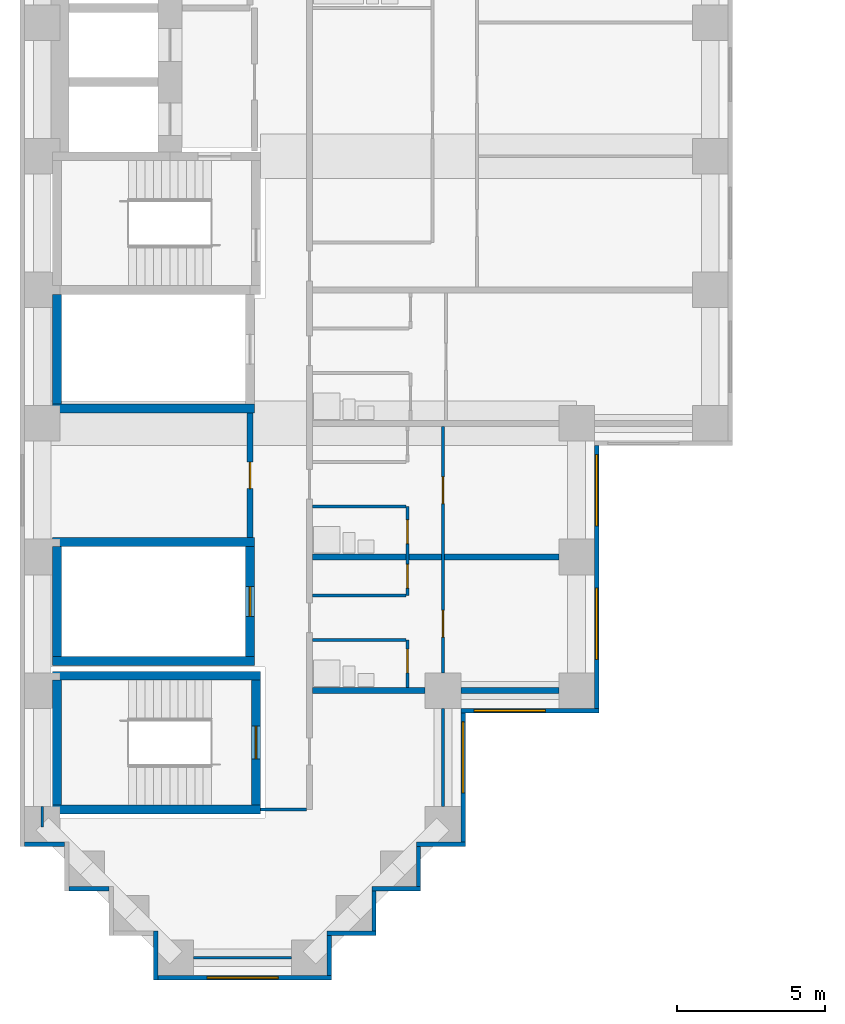
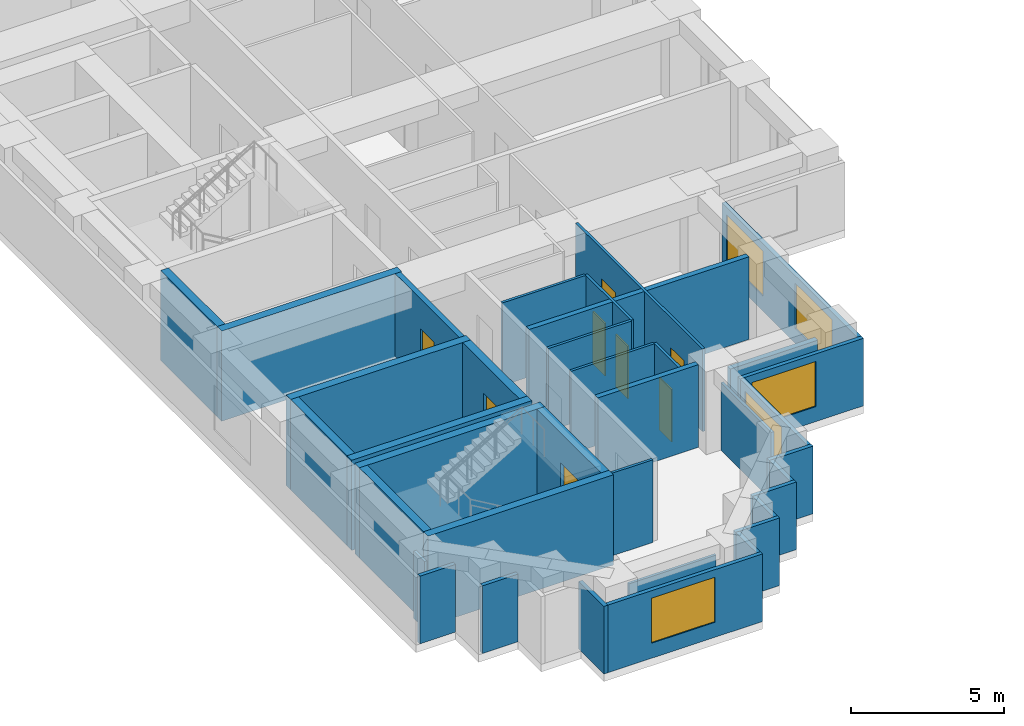
# One storey, part 2 of 11: 37 walls, 8 doors, 5 windows, 13 openings.
"""IFC4 building model written with IfcOpenShell, lengths in metres."""

import ifcopenshell
import ifcopenshell.guid

model = None  # the IFC model being written
_history = None  # IfcOwnerHistory: only IFC2X3 demands one
_inside = {}  # id of a spatial element -> (the spatial element, [elements in it])
_under = {}  # id of a project, library or spatial element -> (it, [spatial elements below it])
_declared = {}  # id of a project -> (the project, [libraries it declares])
_typed = {}  # id of a type object -> (the type object, [elements of that type])
_made_of = {}  # id of a material, layer set ... -> (it, [elements and type objects made of it])


def new_model(schema):
    """Start an empty IFC model of exactly this schema.

    Asked for "IFC4X3", IfcOpenShell would pick the latest addendum, in which some entities
    have other attributes; the version numbers below select the first issue.
    IFC2X3 requires an IfcOwnerHistory on every rooted entity: one is made here for all.
    """
    global model, _history
    if schema == "IFC4X3":
        model = ifcopenshell.file(schema_version=(4, 3, 0, 0))
    else:
        model = ifcopenshell.file(schema=schema)
    _inside.clear()
    _under.clear()
    _declared.clear()
    _typed.clear()
    _made_of.clear()
    _history = None
    if model.schema == "IFC2X3":
        org = make("IfcOrganization", Name="unknown")
        user = make(
            "IfcPersonAndOrganization",
            ThePerson=make("IfcPerson", FamilyName="unknown"),
            TheOrganization=org,
        )
        app = make(
            "IfcApplication",
            ApplicationDeveloper=org,
            Version="unknown",
            ApplicationFullName="unknown",
            ApplicationIdentifier="unknown",
        )
        _history = make(
            "IfcOwnerHistory",
            OwningUser=user,
            OwningApplication=app,
            ChangeAction="ADDED",
            CreationDate=0,
        )
    return model


def make(cls, **values):
    """One entity of the class cls with the attributes given. An attribute that is None is left unset."""
    return model.create_entity(
        cls, **{name: value for name, value in values.items() if value is not None}
    )


def rooted(cls, **values):
    """An entity with a GlobalId (a new one), such as an element, a storey or a relation."""
    return make(cls, GlobalId=ifcopenshell.guid.new(), OwnerHistory=_history, **values)


def si_unit(unit_type, name, prefix=None):
    """IfcSIUnit, for example si_unit("LENGTHUNIT", "METRE", prefix="MILLI")."""
    return make("IfcSIUnit", UnitType=unit_type, Prefix=prefix, Name=name)


def assignment(units):
    """IfcUnitAssignment: the units of a project."""
    return None if units is None else make("IfcUnitAssignment", Units=units)


def point(xyz):
    """IfcCartesianPoint."""
    return None if xyz is None else make("IfcCartesianPoint", Coordinates=xyz)


def direction(xyz):
    """IfcDirection."""
    return None if xyz is None else make("IfcDirection", DirectionRatios=xyz)


def frame(location, z_axis=None, x_axis=None):
    """IfcAxis2Placement3D, a coordinate frame: its origin and axes. An axis left out is left unset."""
    return make(
        "IfcAxis2Placement3D",
        Location=point(location),
        Axis=direction(z_axis),
        RefDirection=direction(x_axis),
    )


def frame_2d(location, x_axis=None):
    """IfcAxis2Placement2D, a coordinate frame in the plane: its origin and x axis."""
    return make(
        "IfcAxis2Placement2D", Location=point(location), RefDirection=direction(x_axis)
    )


def origin():
    """The frame at (0, 0, 0) with its axes left unset."""
    return frame((0.0, 0.0, 0.0))


def place(relative_to, where):
    """IfcLocalPlacement: puts the frame where relative to a parent placement (None: the world)."""
    return make(
        "IfcLocalPlacement", PlacementRelTo=relative_to, RelativePlacement=where
    )


def context(
    kind, dimensions, precision=None, world=None, true_north=None, identifier=None
):
    """IfcGeometricRepresentationContext, for example the 3D "Model" context."""
    return make(
        "IfcGeometricRepresentationContext",
        ContextIdentifier=identifier,
        ContextType=kind,
        CoordinateSpaceDimension=dimensions,
        Precision=precision,
        WorldCoordinateSystem=world,
        TrueNorth=true_north,
    )


def subcontext(parent, identifier, kind, view, scale=None):
    """IfcGeometricRepresentationSubContext, for example "Body" below "Model"."""
    return make(
        "IfcGeometricRepresentationSubContext",
        ContextIdentifier=identifier,
        ContextType=kind,
        ParentContext=parent,
        TargetScale=scale,
        TargetView=view,
    )


def project(units=None, contexts=None):
    """IfcProject with its units and contexts."""
    return rooted(
        "IfcProject",
        Name="project",
        RepresentationContexts=contexts,
        UnitsInContext=assignment(units),
    )


def spatial(cls, under=None, at=None, **own):
    """A site, building, storey or space (cls), placed at a placement, below another one or the project."""
    s = rooted(cls, ObjectPlacement=at, **own)
    if under is not None:
        _under.setdefault(under.id(), (under, []))[1].append(s)
    return s


def profile(cls, at=None, kind="AREA", **sizes):
    """A parametric profile (cls). Its sizes go by their IFC names, for example OverallWidth=200.0."""
    return make(cls, ProfileType=kind, Position=at, **sizes)


def rectangle(**sizes):
    """IfcRectangleProfileDef."""
    return profile("IfcRectangleProfileDef", **sizes)


def extrude(swept, where, along, depth):
    """IfcExtrudedAreaSolid: the profile swept, set in the frame where, extruded along a direction by depth."""
    return make(
        "IfcExtrudedAreaSolid",
        SweptArea=swept,
        Position=where,
        ExtrudedDirection=direction(along),
        Depth=depth,
    )


def shape(context_of_items, identifier, shape_type, items):
    """IfcShapeRepresentation: the items that make up one representation, for example the "Body"."""
    return make(
        "IfcShapeRepresentation",
        ContextOfItems=context_of_items,
        RepresentationIdentifier=identifier,
        RepresentationType=shape_type,
        Items=items,
    )


def material(Name=None, Category=None):
    """IfcMaterial."""
    return make("IfcMaterial", Name=Name, Category=Category)


def layer(
    of_material, thickness, ventilated=None, Name=None, Category=None, Priority=None
):
    """IfcMaterialLayer: one layer of a wall or slab, of a material (None: an air gap)."""
    return make(
        "IfcMaterialLayer",
        Material=of_material,
        LayerThickness=thickness,
        IsVentilated=ventilated,
        Name=Name,
        Category=Category,
        Priority=Priority,
    )


def layer_set(layers, Name=None):
    """IfcMaterialLayerSet."""
    return make("IfcMaterialLayerSet", MaterialLayers=layers, LayerSetName=Name)


def made_of(thing, what):
    """Note that an element or type object is made of a material, layer set ...; save() writes the relation."""
    if what is not None:
        _made_of.setdefault(what.id(), (what, []))[1].append(thing)
    return thing


def type_object(cls, material=None, **own):
    """A type object (cls), such as IfcWallType, which elements share."""
    return made_of(rooted(cls, **own), material)


def element(
    cls,
    number,
    at=None,
    inside=None,
    cuts=None,
    type_object=None,
    material=None,
    context=None,
    identifier="Body",
    shape_type=None,
    held_by="IfcProductDefinitionShape",
    body=None,
    shapes=None,
    **own,
):
    """One element of the class cls, such as IfcWall. Its Tag is "e" and its number.

    at: its placement. inside: the storey or other place that contains it. cuts: it is an
    opening in that element (IfcRelVoidsElement). A single representation is given by context,
    identifier, shape_type and body (its items); several are given by shapes. held_by: the class
    of the entity that holds the representations. save() writes the other relations.
    """
    e = rooted(cls, Tag="e%d" % number, ObjectPlacement=at, **own)
    if body is not None:
        shapes = [shape(context, identifier, shape_type, body)]
    if shapes is not None:
        e.Representation = make(held_by, Representations=shapes)
    if inside is not None:
        _inside.setdefault(inside.id(), (inside, []))[1].append(e)
    if cuts is not None:
        rooted(
            "IfcRelVoidsElement", RelatingBuildingElement=cuts, RelatedOpeningElement=e
        )
    if type_object is not None:
        _typed.setdefault(type_object.id(), (type_object, []))[1].append(e)
    return made_of(e, material)


def fill(opening, filler):
    """IfcRelFillsElement: the door or window that sits in an opening."""
    return rooted(
        "IfcRelFillsElement",
        RelatingOpeningElement=opening,
        RelatedBuildingElement=filler,
    )


def aggregate(whole, parts):
    """IfcRelAggregates: a whole, such as a stair, and the parts it consists of."""
    return rooted("IfcRelAggregates", RelatingObject=whole, RelatedObjects=parts)


def save(model, path):
    """Write the relations noted so far, then the file.

    IfcRelAggregates (storeys below a building ...), IfcRelContainedInSpatialStructure (elements
    in a storey), IfcRelDefinesByType, IfcRelAssociatesMaterial and IfcRelDeclares: one each for
    every whole, place, type object, material and project.
    """
    for whole, parts in _under.values():
        aggregate(whole, parts)
    for where, things in _inside.values():
        rooted(
            "IfcRelContainedInSpatialStructure",
            RelatedElements=things,
            RelatingStructure=where,
        )
    for kind, things in _typed.values():
        rooted("IfcRelDefinesByType", RelatedObjects=things, RelatingType=kind)
    for what, things in _made_of.values():
        rooted("IfcRelAssociatesMaterial", RelatedObjects=things, RelatingMaterial=what)
    for by, libraries in _declared.values():
        rooted("IfcRelDeclares", RelatingContext=by, RelatedDefinitions=libraries)
    model.write(path)


model = new_model("IFC4")

# Units and contexts
model_context = context("Model", 3, precision=1e-05, world=origin(), true_north=direction((0.0, 1.0)))
body_context = subcontext(model_context, "Body", "Model", "MODEL_VIEW")
ifc_project = project(units=[si_unit("LENGTHUNIT", "METRE"), si_unit("AREAUNIT", "SQUARE_METRE"), si_unit("VOLUMEUNIT", "CUBIC_METRE"), si_unit("PLANEANGLEUNIT", "RADIAN"), si_unit("MASSUNIT", "GRAM", prefix="KILO")], contexts=[model_context])

# Site, building, storey
site_placement = place(None, origin())
site = spatial("IfcSite", under=ifc_project, at=site_placement, CompositionType="ELEMENT")
building_placement = place(site_placement, origin())
building = spatial("IfcBuilding", under=site, at=building_placement, Name="Firuza Court", CompositionType="ELEMENT")
storey_placement = place(building_placement, frame((0.0, 0.0, 79.39990234375)))
storey = spatial("IfcBuildingStorey", under=building, at=storey_placement, Name="L19", CompositionType="ELEMENT", Elevation=79.39990234375)

# Walls
ifc_material_1 = material(Name="Moisture-resistant gypsum board partition")
ifc_layer_1 = layer(ifc_material_1, 0.10009765625)
ifc_layer_set_1 = layer_set([ifc_layer_1], Name="Moisture-resistant gypsum board partition")
wall_type_1 = type_object("IfcWallType", Name="Bathroom partition 100", PredefinedType="PLUMBINGWALL", material=ifc_layer_set_1)
for number, where, z_axis, x_axis, name in (
    (1, (9.10009765625, 10.699951171875, 0.0), (0.0, 0.0, 1.0), (1.0, 0.0, 0.0), "Bathroom partition 100 L19"),
    (2, (9.10009765625, 15.199951171875, 0.0), (0.0, 0.0, 1.0), (1.0, 0.0, 0.0), "Bathroom partition 100 L19"),
):
    element("IfcWall", number, at=place(storey_placement, frame(where, z_axis=z_axis, x_axis=x_axis)), inside=storey, type_object=wall_type_1, Name=name, PredefinedType="PLUMBINGWALL", context=body_context, shape_type="SweptSolid", body=[
        extrude(rectangle(XDim=3.14990234375, YDim=0.10009765625, at=frame_2d((1.574951171875, 0.0))), origin(), (0.0, 0.0, 1.0), 3.300048828125),
    ])
ifc_material_2 = material(Name="Concrete C60/75", Category="concrete")
ifc_layer_2 = layer(ifc_material_2, 0.300048828125)
ifc_layer_set_2 = layer_set([ifc_layer_2], Name="Concrete C60/75")
wall_type_2 = type_object("IfcWallType", Name="Core wall 300 C60/75", PredefinedType="SHEAR", material=ifc_layer_set_2)
for number, where, z_axis, x_axis, name in (
    (3, (0.35009765625, 5.0, -0.2998046875), (0.0, 0.0, 1.0), (1.0, 0.0, 0.0), "Core wall stair L19"),
    (4, (0.35009765625, 9.5, -0.2998046875), (0.0, 0.0, 1.0), (1.0, 0.0, 0.0), "Core wall stair L19"),
):
    element("IfcWall", number, at=place(storey_placement, frame(where, z_axis=z_axis, x_axis=x_axis)), inside=storey, type_object=wall_type_2, Name=name, PredefinedType="SHEAR", context=body_context, shape_type="SweptSolid", body=[
        extrude(rectangle(XDim=7.0, YDim=0.300048828125, at=frame_2d((3.5, 0.0))), origin(), (0.0, 0.0, 1.0), 3.599853515625),
    ])
for number, where, z_axis, x_axis, name in (
    (5, (0.35009765625, 10.0, -0.2998046875), (0.0, 0.0, 1.0), (1.0, 0.0, 0.0), "Core wall riser L19"),
    (6, (0.35009765625, 14.0, -0.2998046875), (0.0, 0.0, 1.0), (1.0, 0.0, 0.0), "Core wall riser L19"),
    (7, (0.35009765625, 18.5, -0.2998046875), (0.0, 0.0, 1.0), (1.0, 0.0, 0.0), "Core wall riser L19"),
):
    element("IfcWall", number, at=place(storey_placement, frame(where, z_axis=z_axis, x_axis=x_axis)), inside=storey, type_object=wall_type_2, Name=name, PredefinedType="SHEAR", context=body_context, shape_type="SweptSolid", body=[
        extrude(rectangle(XDim=6.7998046875, YDim=0.300048828125, at=frame_2d((3.39990234375, 0.0))), origin(), (0.0, 0.0, 1.0), 3.599853515625),
    ])
wall_1_placement = place(storey_placement, frame((0.5, 5.14990234375, -0.2998046875), z_axis=(0.0, 0.0, 1.0), x_axis=(0.0, 1.0, 0.0)))
element("IfcWall", 8, at=wall_1_placement, inside=storey, type_object=wall_type_2, Name="Core wall stair L19", PredefinedType="SHEAR", context=body_context, shape_type="SweptSolid", body=[
    extrude(rectangle(XDim=4.2001953125, YDim=0.300048828125, at=frame_2d((2.10009765625, 0.0))), origin(), (0.0, 0.0, 1.0), 3.599853515625),
])
for number, where, z_axis, x_axis, name in (
    (9, (0.5, 10.14990234375, -0.2998046875), (0.0, 0.0, 1.0), (0.0, 1.0, 0.0), "Core wall riser L19"),
    (10, (0.5, 18.64990234375, -0.2998046875), (0.0, 0.0, 1.0), (0.0, 1.0, 0.0), "Core wall riser L19"),
):
    element("IfcWall", number, at=place(storey_placement, frame(where, z_axis=z_axis, x_axis=x_axis)), inside=storey, type_object=wall_type_2, Name=name, PredefinedType="SHEAR", context=body_context, shape_type="SweptSolid", body=[
        extrude(rectangle(XDim=3.7001953125, YDim=0.300048828125, at=frame_2d((1.85009765625, 0.0))), origin(), (0.0, 0.0, 1.0), 3.599853515625),
    ])

# Wall, opening, door
wall_2_placement = place(storey_placement, frame((7.0, 10.14990234375, -0.2998046875), z_axis=(0.0, 0.0, 1.0), x_axis=(0.0, 1.0, 0.0)))
wall_2 = element("IfcWall", 11, at=wall_2_placement, inside=storey, type_object=wall_type_2, Name="Core wall riser L19", PredefinedType="SHEAR", context=body_context, shape_type="SweptSolid", body=[
    extrude(rectangle(XDim=3.7001953125, YDim=0.300048828125, at=frame_2d((1.85009765625, 0.0))), origin(), (0.0, 0.0, 1.0), 3.599853515625),
])
opening_1_placement = place(wall_2_placement, frame((1.35009765625, 0.0, 0.300048828125)))
opening_1 = element("IfcOpeningElement", 12, at=opening_1_placement, cuts=wall_2, Name="Opening D19012", PredefinedType="OPENING", context=body_context, shape_type="SweptSolid", body=[
    extrude(rectangle(XDim=1.0, YDim=2.10009765625, at=frame_2d((0.5, 1.050048828125))), frame((0.0, 0.162109375, 0.0), z_axis=(0.0, -1.0, 0.0), x_axis=(1.0, 0.0, 0.0)), (0.0, 0.0, 1.0), 0.323974609375),
])
ifc_material_3 = material(Name="Timber door leaf in hardwood frame", Category="wood")
door_type_1 = type_object("IfcDoorType", Name="Riser door 1000", OperationType="SINGLE_SWING_LEFT", PredefinedType="DOOR", material=ifc_material_3)
door_1_placement = place(opening_1_placement, origin())
door_1 = element("IfcDoor", 13, at=door_1_placement, inside=storey, type_object=door_type_1, Name="Riser door R4", OperationType="SINGLE_SWING_LEFT", OverallHeight=2.10009765625, OverallWidth=1.0, PredefinedType="DOOR", context=body_context, shape_type="SweptSolid", body=[
    extrude(rectangle(XDim=1.0, YDim=2.10009765625, at=frame_2d((0.5, 1.050048828125))), frame((0.0, 0.02490234375, 0.0), z_axis=(0.0, -1.0, 0.0), x_axis=(1.0, 0.0, 0.0)), (0.0, 0.0, 1.0), 0.050048828125),
])
fill(opening_1, door_1)

wall_3_placement = place(storey_placement, frame((7.199951171875, 5.14990234375, -0.2998046875), z_axis=(0.0, 0.0, 1.0), x_axis=(0.0, 1.0, 0.0)))
wall_3 = element("IfcWall", 14, at=wall_3_placement, inside=storey, type_object=wall_type_2, Name="Core wall stair L19", PredefinedType="SHEAR", context=body_context, shape_type="SweptSolid", body=[
    extrude(rectangle(XDim=4.2001953125, YDim=0.300048828125, at=frame_2d((2.10009765625, 0.0))), origin(), (0.0, 0.0, 1.0), 3.599853515625),
])
opening_2_placement = place(wall_3_placement, frame((1.550048828125, 0.0, 0.300048828125)))
opening_2 = element("IfcOpeningElement", 15, at=opening_2_placement, cuts=wall_3, Name="Opening D19018", PredefinedType="OPENING", context=body_context, shape_type="SweptSolid", body=[
    extrude(rectangle(XDim=1.10009765625, YDim=2.10009765625, at=frame_2d((0.550048828125, 1.050048828125))), frame((0.0, 0.162109375, 0.0), z_axis=(0.0, -1.0, 0.0), x_axis=(1.0, 0.0, 0.0)), (0.0, 0.0, 1.0), 0.323974609375),
])
ifc_material_4 = material(Name="Timber door leaf in hardwood frame", Category="wood")
door_type_2 = type_object("IfcDoorType", Name="Stair door 1100", OperationType="SINGLE_SWING_LEFT", PredefinedType="DOOR", material=ifc_material_4)
door_2_placement = place(opening_2_placement, origin())
door_2 = element("IfcDoor", 16, at=door_2_placement, inside=storey, type_object=door_type_2, Name="Stair door S5", OperationType="SINGLE_SWING_LEFT", OverallHeight=2.10009765625, OverallWidth=1.10009765625, PredefinedType="DOOR", context=body_context, shape_type="SweptSolid", body=[
    extrude(rectangle(XDim=1.10009765625, YDim=2.10009765625, at=frame_2d((0.550048828125, 1.050048828125))), frame((0.0, 0.02490234375, 0.0), z_axis=(0.0, -1.0, 0.0), x_axis=(1.0, 0.0, 0.0)), (0.0, 0.0, 1.0), 0.050048828125),
])
fill(opening_2, door_2)

ifc_material_5 = material(Name="Blockwork, plastered both sides", Category="masonry")
ifc_layer_3 = layer(ifc_material_5, 0.199951171875)
ifc_layer_set_3 = layer_set([ifc_layer_3], Name="Blockwork, plastered both sides")
wall_type_3 = type_object("IfcWallType", Name="Corridor wall 200", PredefinedType="PARTITIONING", material=ifc_layer_set_3)
wall_4_placement = place(storey_placement, frame((7.0, 14.14990234375, 0.0), z_axis=(0.0, 0.0, 1.0), x_axis=(0.0, 1.0, 0.0)))
wall_4 = element("IfcWall", 17, at=wall_4_placement, inside=storey, type_object=wall_type_3, Name="Corridor wall 200 L19", PredefinedType="PARTITIONING", context=body_context, shape_type="SweptSolid", body=[
    extrude(rectangle(XDim=4.2001953125, YDim=0.199951171875, at=frame_2d((2.10009765625, 0.0))), origin(), (0.0, 0.0, 1.0), 3.300048828125),
])
opening_3_placement = place(wall_4_placement, frame((1.64990234375, 0.0, 0.0)))
opening_3 = element("IfcOpeningElement", 18, at=opening_3_placement, cuts=wall_4, Name="Opening D19030", PredefinedType="OPENING", context=body_context, shape_type="SweptSolid", body=[
    extrude(rectangle(XDim=0.89990234375, YDim=2.10009765625, at=frame_2d((0.449951171875, 1.050048828125))), frame((0.0, 0.11181640625, 0.0), z_axis=(0.0, -1.0, 0.0), x_axis=(1.0, 0.0, 0.0)), (0.0, 0.0, 1.0), 0.223876953125),
])
ifc_material_6 = material(Name="Timber door leaf in hardwood frame", Category="wood")
door_type_3 = type_object("IfcDoorType", Name="Room door 900 EI 30", OperationType="SINGLE_SWING_LEFT", PredefinedType="DOOR", material=ifc_material_6)
door_3_placement = place(opening_3_placement, origin())
door_3 = element("IfcDoor", 19, at=door_3_placement, inside=storey, type_object=door_type_3, Name="Meeting room door", OperationType="SINGLE_SWING_LEFT", OverallHeight=2.10009765625, OverallWidth=0.89990234375, PredefinedType="DOOR", context=body_context, shape_type="SweptSolid", body=[
    extrude(rectangle(XDim=0.89990234375, YDim=2.10009765625, at=frame_2d((0.449951171875, 1.050048828125))), frame((0.0, 0.02490234375, 0.0), z_axis=(0.0, -1.0, 0.0), x_axis=(1.0, 0.0, 0.0)), (0.0, 0.0, 1.0), 0.050048828125),
])
fill(opening_3, door_3)

# Walls
ifc_material_7 = material(Name="Timber stud partition, plasterboard both sides", Category="wood")
ifc_layer_4 = layer(ifc_material_7, 0.10009765625)
ifc_layer_set_4 = layer_set([ifc_layer_4], Name="Timber stud partition, plasterboard both sides")
wall_type_4 = type_object("IfcWallType", Name="Partition wall 100", PredefinedType="PARTITIONING", material=ifc_layer_set_4)
wall_5_placement = place(storey_placement, frame((5.10009765625, 0.0, 0.0), z_axis=(0.0, 0.0, 1.0), x_axis=(1.0, 0.0, 0.0)))
element("IfcWall", 20, at=wall_5_placement, inside=storey, type_object=wall_type_4, Name="Partition wall 100 L19", PredefinedType="PARTITIONING", context=body_context, shape_type="SweptSolid", body=[
    extrude(rectangle(XDim=3.2998046875, YDim=0.10009765625, at=frame_2d((1.64990234375, 0.0))), origin(), (0.0, 0.0, 1.0), 2.7001953125),
])
wall_6_placement = place(storey_placement, frame((0.0, 4.39990234375, 0.0), z_axis=(0.0, 0.0, 1.0), x_axis=(0.0, 1.0, 0.0)))
element("IfcWall", 21, at=wall_6_placement, inside=storey, type_object=wall_type_4, Name="Partition wall 100 L19", PredefinedType="PARTITIONING", context=body_context, shape_type="SweptSolid", body=[
    extrude(rectangle(XDim=0.7001953125, YDim=0.10009765625, at=frame_2d((0.35009765625, 0.0))), origin(), (0.0, 0.0, 1.0), 2.7001953125),
])
wall_7_placement = place(storey_placement, frame((7.34912109375, 5.0, 0.0), z_axis=(0.0, 0.0, 1.0), x_axis=(1.0, 0.0, 0.0)))
element("IfcWall", 22, at=wall_7_placement, inside=storey, type_object=wall_type_4, Name="Partition wall 100 L19", PredefinedType="PARTITIONING", context=body_context, shape_type="SweptSolid", body=[
    extrude(rectangle(XDim=1.55078125, YDim=0.10009765625, at=frame_2d((0.775390625, 0.0))), origin(), (0.0, 0.0, 1.0), 3.300048828125),
])
wall_8_placement = place(storey_placement, frame((13.5, 5.10009765625, 0.0), z_axis=(0.0, 0.0, 1.0), x_axis=(0.0, 1.0, 0.0)))
element("IfcWall", 23, at=wall_8_placement, inside=storey, type_object=wall_type_4, Name="Partition wall 100 L19", PredefinedType="PARTITIONING", context=body_context, shape_type="SweptSolid", body=[
    extrude(rectangle(XDim=3.2998046875, YDim=0.10009765625, at=frame_2d((1.64990234375, 0.0))), origin(), (0.0, 0.0, 1.0), 2.7001953125),
])

# Wall, opening, door
wall_9_placement = place(storey_placement, frame((12.300048828125, 9.10009765625, 0.0), z_axis=(0.0, 0.0, 1.0), x_axis=(0.0, 1.0, 0.0)))
wall_9 = element("IfcWall", 24, at=wall_9_placement, inside=storey, type_object=wall_type_4, Name="Partition wall 100 L19", PredefinedType="PARTITIONING", context=body_context, shape_type="SweptSolid", body=[
    extrude(rectangle(XDim=1.599853515625, YDim=0.10009765625, at=frame_2d((0.7998046875, 0.0))), origin(), (0.0, 0.0, 1.0), 3.300048828125),
])
opening_4_placement = place(wall_9_placement, frame((0.5, 0.0, 0.0)))
opening_4 = element("IfcOpeningElement", 25, at=opening_4_placement, cuts=wall_9, Name="Opening D19025", PredefinedType="OPENING", context=body_context, shape_type="SweptSolid", body=[
    extrude(rectangle(XDim=0.800048828125, YDim=2.10009765625, at=frame_2d((0.39990234375, 1.050048828125))), frame((0.0, 0.06201171875, 0.0), z_axis=(0.0, -1.0, 0.0), x_axis=(1.0, 0.0, 0.0)), (0.0, 0.0, 1.0), 0.1240234375),
])
ifc_material_8 = material(Name="Timber door leaf in hardwood frame", Category="wood")
door_type_4 = type_object("IfcDoorType", Name="Bathroom door 800", OperationType="SINGLE_SWING_LEFT", PredefinedType="DOOR", material=ifc_material_8)
door_4_placement = place(opening_4_placement, origin())
door_4 = element("IfcDoor", 26, at=door_4_placement, inside=storey, type_object=door_type_4, Name="Bathroom door", OperationType="SINGLE_SWING_RIGHT", OverallHeight=2.10009765625, OverallWidth=0.800048828125, PredefinedType="DOOR", context=body_context, shape_type="SweptSolid", body=[
    extrude(rectangle(XDim=0.800048828125, YDim=2.10009765625, at=frame_2d((0.39990234375, 1.050048828125))), frame((0.0, 0.02490234375, 0.0), z_axis=(0.0, -1.0, 0.0), x_axis=(1.0, 0.0, 0.0)), (0.0, 0.0, 1.0), 0.050048828125),
])
fill(opening_4, door_4)

# Wall, openings, doors
wall_10_placement = place(storey_placement, frame((13.5, 9.60009765625, 0.0), z_axis=(0.0, 0.0, 1.0), x_axis=(0.0, 1.0, 0.0)))
wall_10 = element("IfcWall", 27, at=wall_10_placement, inside=storey, type_object=wall_type_4, Name="Partition wall 100 L19", PredefinedType="PARTITIONING", context=body_context, shape_type="SweptSolid", body=[
    extrude(rectangle(XDim=8.2998046875, YDim=0.10009765625, at=frame_2d((4.14990234375, 0.0))), origin(), (0.0, 0.0, 1.0), 3.300048828125),
])
opening_5_placement = place(wall_10_placement, frame((5.699951171875, 0.0, 0.0)))
opening_5 = element("IfcOpeningElement", 28, at=opening_5_placement, cuts=wall_10, Name="Opening D19026", PredefinedType="OPENING", context=body_context, shape_type="SweptSolid", body=[
    extrude(rectangle(XDim=0.89990234375, YDim=2.10009765625, at=frame_2d((0.449951171875, 1.050048828125))), frame((0.0, 0.06201171875, 0.0), z_axis=(0.0, -1.0, 0.0), x_axis=(1.0, 0.0, 0.0)), (0.0, 0.0, 1.0), 0.1240234375),
])
opening_6_placement = place(wall_10_placement, frame((1.199951171875, 0.0, 0.0)))
opening_6 = element("IfcOpeningElement", 29, at=opening_6_placement, cuts=wall_10, Name="Opening D19027", PredefinedType="OPENING", context=body_context, shape_type="SweptSolid", body=[
    extrude(rectangle(XDim=0.89990234375, YDim=2.10009765625, at=frame_2d((0.449951171875, 1.050048828125))), frame((0.0, 0.06201171875, 0.0), z_axis=(0.0, -1.0, 0.0), x_axis=(1.0, 0.0, 0.0)), (0.0, 0.0, 1.0), 0.1240234375),
])
ifc_material_9 = material(Name="Timber door leaf in hardwood frame", Category="wood")
door_type_5 = type_object("IfcDoorType", Name="Room door 900", OperationType="SINGLE_SWING_LEFT", PredefinedType="DOOR", material=ifc_material_9)
door_5_placement = place(opening_5_placement, frame((0.89990234375, 0.0, 0.0), z_axis=(0.0, 0.0, 1.0), x_axis=(-1.0, 0.0, 0.0)))
door_5 = element("IfcDoor", 30, at=door_5_placement, inside=storey, type_object=door_type_5, Name="Studio room door", OperationType="SINGLE_SWING_RIGHT", OverallHeight=2.10009765625, OverallWidth=0.89990234375, PredefinedType="DOOR", context=body_context, shape_type="SweptSolid", body=[
    extrude(rectangle(XDim=0.89990234375, YDim=2.10009765625, at=frame_2d((0.449951171875, 1.050048828125))), frame((0.0, 0.02490234375, 0.0), z_axis=(0.0, -1.0, 0.0), x_axis=(1.0, 0.0, 0.0)), (0.0, 0.0, 1.0), 0.050048828125),
])
fill(opening_5, door_5)
door_6_placement = place(opening_6_placement, frame((0.89990234375, 0.0, 0.0), z_axis=(0.0, 0.0, 1.0), x_axis=(-1.0, 0.0, 0.0)))
door_6 = element("IfcDoor", 31, at=door_6_placement, inside=storey, type_object=door_type_5, Name="Studio room door", OperationType="SINGLE_SWING_RIGHT", OverallHeight=2.10009765625, OverallWidth=0.89990234375, PredefinedType="DOOR", context=body_context, shape_type="SweptSolid", body=[
    extrude(rectangle(XDim=0.89990234375, YDim=2.10009765625, at=frame_2d((0.449951171875, 1.050048828125))), frame((0.0, 0.02490234375, 0.0), z_axis=(0.0, -1.0, 0.0), x_axis=(1.0, 0.0, 0.0)), (0.0, 0.0, 1.0), 0.050048828125),
])
fill(opening_6, door_6)

# Wall
wall_11_placement = place(storey_placement, frame((9.10009765625, 12.199951171875, 0.0), z_axis=(0.0, 0.0, 1.0), x_axis=(1.0, 0.0, 0.0)))
element("IfcWall", 32, at=wall_11_placement, inside=storey, type_object=wall_type_4, Name="Partition wall 100 L19", PredefinedType="PARTITIONING", context=body_context, shape_type="SweptSolid", body=[
    extrude(rectangle(XDim=3.14990234375, YDim=0.10009765625, at=frame_2d((1.574951171875, 0.0))), origin(), (0.0, 0.0, 1.0), 3.300048828125),
])

# Wall, openings, doors
wall_12_placement = place(storey_placement, frame((12.300048828125, 12.199951171875, 0.0), z_axis=(0.0, 0.0, 1.0), x_axis=(0.0, 1.0, 0.0)))
wall_12 = element("IfcWall", 33, at=wall_12_placement, inside=storey, type_object=wall_type_4, Name="Partition wall 100 L19", PredefinedType="PARTITIONING", context=body_context, shape_type="SweptSolid", body=[
    extrude(rectangle(XDim=3.0, YDim=0.10009765625, at=frame_2d((1.5, 0.0))), origin(), (0.0, 0.0, 1.0), 3.300048828125),
])
opening_7_placement = place(wall_12_placement, frame((1.75, 0.0, 0.0)))
opening_7 = element("IfcOpeningElement", 34, at=opening_7_placement, cuts=wall_12, Name="Opening D19028", PredefinedType="OPENING", context=body_context, shape_type="SweptSolid", body=[
    extrude(rectangle(XDim=0.800048828125, YDim=2.10009765625, at=frame_2d((0.39990234375, 1.050048828125))), frame((0.0, 0.06201171875, 0.0), z_axis=(0.0, -1.0, 0.0), x_axis=(1.0, 0.0, 0.0)), (0.0, 0.0, 1.0), 0.1240234375),
])
opening_8_placement = place(wall_12_placement, frame((0.25, 0.0, 0.0)))
opening_8 = element("IfcOpeningElement", 35, at=opening_8_placement, cuts=wall_12, Name="Opening D19029", PredefinedType="OPENING", context=body_context, shape_type="SweptSolid", body=[
    extrude(rectangle(XDim=0.800048828125, YDim=2.10009765625, at=frame_2d((0.39990234375, 1.050048828125))), frame((0.0, 0.06201171875, 0.0), z_axis=(0.0, -1.0, 0.0), x_axis=(1.0, 0.0, 0.0)), (0.0, 0.0, 1.0), 0.1240234375),
])
door_7_placement = place(opening_7_placement, origin())
door_7 = element("IfcDoor", 36, at=door_7_placement, inside=storey, type_object=door_type_4, Name="Bathroom door", OperationType="SINGLE_SWING_LEFT", OverallHeight=2.10009765625, OverallWidth=0.800048828125, PredefinedType="DOOR", context=body_context, shape_type="SweptSolid", body=[
    extrude(rectangle(XDim=0.800048828125, YDim=2.10009765625, at=frame_2d((0.39990234375, 1.050048828125))), frame((0.0, 0.02490234375, 0.0), z_axis=(0.0, -1.0, 0.0), x_axis=(1.0, 0.0, 0.0)), (0.0, 0.0, 1.0), 0.050048828125),
])
fill(opening_7, door_7)
ifc_material_10 = material(Name="Timber door leaf in hardwood frame", Category="wood")
door_type_6 = type_object("IfcDoorType", Name="Room door 800", OperationType="SINGLE_SWING_LEFT", PredefinedType="DOOR", material=ifc_material_10)
door_8_placement = place(opening_8_placement, origin())
door_8 = element("IfcDoor", 37, at=door_8_placement, inside=storey, type_object=door_type_6, Name="Kitchen door", OperationType="SINGLE_SWING_LEFT", OverallHeight=2.10009765625, OverallWidth=0.800048828125, PredefinedType="DOOR", context=body_context, shape_type="SweptSolid", body=[
    extrude(rectangle(XDim=0.800048828125, YDim=2.10009765625, at=frame_2d((0.39990234375, 1.050048828125))), frame((0.0, 0.02490234375, 0.0), z_axis=(0.0, -1.0, 0.0), x_axis=(1.0, 0.0, 0.0)), (0.0, 0.0, 1.0), 0.050048828125),
])
fill(opening_8, door_8)

# Walls
ifc_layer_5 = layer(ifc_material_5, 0.199951171875)
ifc_layer_set_5 = layer_set([ifc_layer_5], Name="Blockwork, plastered both sides")
wall_type_5 = type_object("IfcWallType", Name="Party wall 200", PredefinedType="PARTITIONING", material=ifc_layer_set_5)
wall_13_placement = place(storey_placement, frame((9.10009765625, 9.0, 0.0), z_axis=(0.0, 0.0, 1.0), x_axis=(1.0, 0.0, 0.0)))
element("IfcWall", 38, at=wall_13_placement, inside=storey, type_object=wall_type_5, Name="Party wall 200 L19", PredefinedType="PARTITIONING", context=body_context, shape_type="SweptSolid", body=[
    extrude(rectangle(XDim=3.7998046875, YDim=0.199951171875, at=frame_2d((1.89990234375, 0.0))), origin(), (0.0, 0.0, 1.0), 3.300048828125),
])
wall_14_placement = place(storey_placement, frame((14.10009765625, 9.0, 0.0), z_axis=(0.0, 0.0, 1.0), x_axis=(1.0, 0.0, 0.0)))
element("IfcWall", 39, at=wall_14_placement, inside=storey, type_object=wall_type_5, Name="Party wall 200 L19", PredefinedType="PARTITIONING", context=body_context, shape_type="SweptSolid", body=[
    extrude(rectangle(XDim=3.2998046875, YDim=0.199951171875, at=frame_2d((1.64990234375, 0.0))), origin(), (0.0, 0.0, 1.0), 2.7001953125),
])
wall_15_placement = place(storey_placement, frame((9.10009765625, 13.5, 0.0), z_axis=(0.0, 0.0, 1.0), x_axis=(1.0, 0.0, 0.0)))
element("IfcWall", 40, at=wall_15_placement, inside=storey, type_object=wall_type_5, Name="Party wall 200 L19", PredefinedType="PARTITIONING", context=body_context, shape_type="SweptSolid", body=[
    extrude(rectangle(XDim=8.2998046875, YDim=0.199951171875, at=frame_2d((4.14990234375, 0.0))), origin(), (0.0, 0.0, 1.0), 3.300048828125),
])
ifc_material_11 = material(Name="Ceramic tile", Category="ceramic")
ifc_layer_6 = layer(ifc_material_11, 0.02001953125)
ifc_material_12 = material(Name="Mineral wool insulation", Category="insulation")
ifc_layer_7 = layer(ifc_material_12, 0.050048828125)
ifc_material_13 = material(Name="Concrete C40/50 precast", Category="concrete")
ifc_layer_8 = layer(ifc_material_13, 0.080078125)
ifc_layer_set_6 = layer_set([ifc_layer_6, ifc_layer_7, ifc_layer_8], Name="Concrete C40/50 precast")
wall_type_6 = type_object("IfcWallType", Name="Precast cladding wall with turquoise TILE PANEL face 150", PredefinedType="STANDARD", material=ifc_layer_set_6)
wall_16_placement = place(storey_placement, frame((9.675048828125, -0.60009765625, 0.0), z_axis=(0.0, 0.0, 1.0), x_axis=(0.0, 1.0, 0.0)))
element("IfcWall", 41, at=wall_16_placement, inside=storey, type_object=wall_type_6, Name="Facade wall L19 E", PredefinedType="STANDARD", context=body_context, shape_type="SweptSolid", body=[
    extrude(rectangle(XDim=1.35009765625, YDim=0.14990234375, at=frame_2d((0.675048828125, 0.0))), origin(), (0.0, 0.0, 1.0), 2.7001953125),
])
wall_17_placement = place(storey_placement, frame((9.60009765625, 0.824951171875, 0.0), z_axis=(0.0, 0.0, 1.0), x_axis=(1.0, 0.0, 0.0)))
element("IfcWall", 42, at=wall_17_placement, inside=storey, type_object=wall_type_6, Name="Facade wall L19 S", PredefinedType="STANDARD", context=body_context, shape_type="SweptSolid", body=[
    extrude(rectangle(XDim=1.64990234375, YDim=0.14990234375, at=frame_2d((0.824951171875, 0.0))), origin(), (0.0, 0.0, 1.0), 2.7001953125),
])
wall_18_placement = place(storey_placement, frame((11.175048828125, 0.89990234375, 0.0), z_axis=(0.0, 0.0, 1.0), x_axis=(0.0, 1.0, 0.0)))
element("IfcWall", 43, at=wall_18_placement, inside=storey, type_object=wall_type_6, Name="Facade wall L19 E", PredefinedType="STANDARD", context=body_context, shape_type="SweptSolid", body=[
    extrude(rectangle(XDim=1.35009765625, YDim=0.14990234375, at=frame_2d((0.675048828125, 0.0))), origin(), (0.0, 0.0, 1.0), 2.7001953125),
])
wall_19_placement = place(storey_placement, frame((11.10009765625, 2.324951171875, 0.0), z_axis=(0.0, 0.0, 1.0), x_axis=(1.0, 0.0, 0.0)))
element("IfcWall", 44, at=wall_19_placement, inside=storey, type_object=wall_type_6, Name="Facade wall L19 S", PredefinedType="STANDARD", context=body_context, shape_type="SweptSolid", body=[
    extrude(rectangle(XDim=1.64990234375, YDim=0.14990234375, at=frame_2d((0.824951171875, 0.0))), origin(), (0.0, 0.0, 1.0), 2.7001953125),
])
wall_20_placement = place(storey_placement, frame((12.675048828125, 2.39990234375, 0.0), z_axis=(0.0, 0.0, 1.0), x_axis=(0.0, 1.0, 0.0)))
element("IfcWall", 45, at=wall_20_placement, inside=storey, type_object=wall_type_6, Name="Facade wall L19 E", PredefinedType="STANDARD", context=body_context, shape_type="SweptSolid", body=[
    extrude(rectangle(XDim=1.35009765625, YDim=0.14990234375, at=frame_2d((0.675048828125, 0.0))), origin(), (0.0, 0.0, 1.0), 2.7001953125),
])
wall_21_placement = place(storey_placement, frame((12.60009765625, 3.824951171875, 0.0), z_axis=(0.0, 0.0, 1.0), x_axis=(1.0, 0.0, 0.0)))
element("IfcWall", 46, at=wall_21_placement, inside=storey, type_object=wall_type_6, Name="Facade wall L19 S", PredefinedType="STANDARD", context=body_context, shape_type="SweptSolid", body=[
    extrude(rectangle(XDim=1.64990234375, YDim=0.14990234375, at=frame_2d((0.824951171875, 0.0))), origin(), (0.0, 0.0, 1.0), 2.7001953125),
])

# Wall, opening, window
wall_22_placement = place(storey_placement, frame((14.175048828125, 3.89990234375, 0.0), z_axis=(0.0, 0.0, 1.0), x_axis=(0.0, 1.0, 0.0)))
wall_22 = element("IfcWall", 47, at=wall_22_placement, inside=storey, type_object=wall_type_6, Name="Facade wall L19 E", PredefinedType="STANDARD", context=body_context, shape_type="SweptSolid", body=[
    extrude(rectangle(XDim=4.35009765625, YDim=0.14990234375, at=frame_2d((2.175048828125, 0.0))), origin(), (0.0, 0.0, 1.0), 2.7001953125),
])
opening_9_placement = place(wall_22_placement, frame((1.64990234375, 0.0, 0.60009765625)))
opening_9 = element("IfcOpeningElement", 48, at=opening_9_placement, cuts=wall_22, Name="Opening W1", PredefinedType="OPENING", context=body_context, shape_type="SweptSolid", body=[
    extrude(rectangle(XDim=2.39990234375, YDim=1.800048828125, at=frame_2d((1.199951171875, 0.89990234375))), frame((0.0, 0.0869140625, 0.0), z_axis=(0.0, -1.0, 0.0), x_axis=(1.0, 0.0, 0.0)), (0.0, 0.0, 1.0), 0.173828125),
])
ifc_material_14 = material(Name="Aluminium frame, triple clear glazing", Category="aluminium")
window_type = type_object("IfcWindowType", Name="Window W1 2400 x 1800", PartitioningType="SINGLE_PANEL", PredefinedType="WINDOW", material=ifc_material_14)
window_1_placement = place(opening_9_placement, origin())
window_1 = element("IfcWindow", 49, at=window_1_placement, inside=storey, type_object=window_type, Name="Window L19", OverallHeight=1.800048828125, OverallWidth=2.39990234375, PartitioningType="SINGLE_PANEL", PredefinedType="WINDOW", context=body_context, shape_type="SweptSolid", body=[
    extrude(rectangle(XDim=2.39990234375, YDim=1.800048828125, at=frame_2d((1.199951171875, 0.89990234375))), frame((0.0, 0.030029296875, 0.0), z_axis=(0.0, -1.0, 0.0), x_axis=(1.0, 0.0, 0.0)), (0.0, 0.0, 1.0), 0.06005859375),
])
fill(opening_9, window_1)

wall_23_placement = place(storey_placement, frame((14.10009765625, 8.324951171875, 0.0), z_axis=(0.0, 0.0, 1.0), x_axis=(1.0, 0.0, 0.0)))
wall_23 = element("IfcWall", 50, at=wall_23_placement, inside=storey, type_object=wall_type_6, Name="Facade wall L19 S", PredefinedType="STANDARD", context=body_context, shape_type="SweptSolid", body=[
    extrude(rectangle(XDim=4.64990234375, YDim=0.14990234375, at=frame_2d((2.324951171875, 0.0))), origin(), (0.0, 0.0, 1.0), 2.7001953125),
])
opening_10_placement = place(wall_23_placement, frame((0.449951171875, 0.0, 0.60009765625)))
opening_10 = element("IfcOpeningElement", 51, at=opening_10_placement, cuts=wall_23, Name="Opening W1", PredefinedType="OPENING", context=body_context, shape_type="SweptSolid", body=[
    extrude(rectangle(XDim=2.39990234375, YDim=1.800048828125, at=frame_2d((1.199951171875, 0.89990234375))), frame((0.0, 0.0869140625, 0.0), z_axis=(0.0, -1.0, 0.0), x_axis=(1.0, 0.0, 0.0)), (0.0, 0.0, 1.0), 0.173828125),
])
window_2_placement = place(opening_10_placement, origin())
window_2 = element("IfcWindow", 52, at=window_2_placement, inside=storey, type_object=window_type, Name="Window L19", OverallHeight=1.800048828125, OverallWidth=2.39990234375, PartitioningType="SINGLE_PANEL", PredefinedType="WINDOW", context=body_context, shape_type="SweptSolid", body=[
    extrude(rectangle(XDim=2.39990234375, YDim=1.800048828125, at=frame_2d((1.199951171875, 0.89990234375))), frame((0.0, 0.030029296875, 0.0), z_axis=(0.0, -1.0, 0.0), x_axis=(1.0, 0.0, 0.0)), (0.0, 0.0, 1.0), 0.06005859375),
])
fill(opening_10, window_2)

# Wall, openings, windows
wall_24_placement = place(storey_placement, frame((18.675048828125, 8.39990234375, 0.0), z_axis=(0.0, 0.0, 1.0), x_axis=(0.0, 1.0, 0.0)))
wall_24 = element("IfcWall", 53, at=wall_24_placement, inside=storey, type_object=wall_type_6, Name="Facade wall L19 E", PredefinedType="STANDARD", context=body_context, shape_type="SweptSolid", body=[
    extrude(rectangle(XDim=8.85009765625, YDim=0.14990234375, at=frame_2d((4.425048828125, 0.0))), origin(), (0.0, 0.0, 1.0), 2.7001953125),
])
opening_11_placement = place(wall_24_placement, frame((1.64990234375, 0.0, 0.60009765625)))
opening_11 = element("IfcOpeningElement", 54, at=opening_11_placement, cuts=wall_24, Name="Opening W1", PredefinedType="OPENING", context=body_context, shape_type="SweptSolid", body=[
    extrude(rectangle(XDim=2.39990234375, YDim=1.800048828125, at=frame_2d((1.199951171875, 0.89990234375))), frame((0.0, 0.0869140625, 0.0), z_axis=(0.0, -1.0, 0.0), x_axis=(1.0, 0.0, 0.0)), (0.0, 0.0, 1.0), 0.173828125),
])
opening_12_placement = place(wall_24_placement, frame((6.14990234375, 0.0, 0.60009765625)))
opening_12 = element("IfcOpeningElement", 55, at=opening_12_placement, cuts=wall_24, Name="Opening W1", PredefinedType="OPENING", context=body_context, shape_type="SweptSolid", body=[
    extrude(rectangle(XDim=2.39990234375, YDim=1.800048828125, at=frame_2d((1.199951171875, 0.89990234375))), frame((0.0, 0.0869140625, 0.0), z_axis=(0.0, -1.0, 0.0), x_axis=(1.0, 0.0, 0.0)), (0.0, 0.0, 1.0), 0.173828125),
])
window_3_placement = place(opening_11_placement, origin())
window_3 = element("IfcWindow", 56, at=window_3_placement, inside=storey, type_object=window_type, Name="Window L19", OverallHeight=1.800048828125, OverallWidth=2.39990234375, PartitioningType="SINGLE_PANEL", PredefinedType="WINDOW", context=body_context, shape_type="SweptSolid", body=[
    extrude(rectangle(XDim=2.39990234375, YDim=1.800048828125, at=frame_2d((1.199951171875, 0.89990234375))), frame((0.0, 0.030029296875, 0.0), z_axis=(0.0, -1.0, 0.0), x_axis=(1.0, 0.0, 0.0)), (0.0, 0.0, 1.0), 0.06005859375),
])
fill(opening_11, window_3)
window_4_placement = place(opening_12_placement, origin())
window_4 = element("IfcWindow", 57, at=window_4_placement, inside=storey, type_object=window_type, Name="Window L19", OverallHeight=1.800048828125, OverallWidth=2.39990234375, PartitioningType="SINGLE_PANEL", PredefinedType="WINDOW", context=body_context, shape_type="SweptSolid", body=[
    extrude(rectangle(XDim=2.39990234375, YDim=1.800048828125, at=frame_2d((1.199951171875, 0.89990234375))), frame((0.0, 0.030029296875, 0.0), z_axis=(0.0, -1.0, 0.0), x_axis=(1.0, 0.0, 0.0)), (0.0, 0.0, 1.0), 0.06005859375),
])
fill(opening_12, window_4)

# Walls
for number, where, z_axis, x_axis, name in (
    (58, (-0.60009765625, 3.824951171875, 0.0), (0.0, 0.0, 1.0), (1.0, 0.0, 0.0), "Facade wall L19 S"),
    (59, (0.89990234375, 2.324951171875, 0.0), (0.0, 0.0, 1.0), (1.0, 0.0, 0.0), "Facade wall L19 S"),
):
    element("IfcWall", number, at=place(storey_placement, frame(where, z_axis=z_axis, x_axis=x_axis)), inside=storey, type_object=wall_type_6, Name=name, PredefinedType="STANDARD", context=body_context, shape_type="SweptSolid", body=[
        extrude(rectangle(XDim=1.35009765625, YDim=0.14990234375, at=frame_2d((0.675048828125, 0.0))), origin(), (0.0, 0.0, 1.0), 2.7001953125),
    ])
wall_25_placement = place(storey_placement, frame((3.824951171875, 0.89990234375, 0.0), z_axis=(0.0, 0.0, 1.0), x_axis=(0.0, -1.0, 0.0)))
element("IfcWall", 60, at=wall_25_placement, inside=storey, type_object=wall_type_6, Name="Facade wall L19 W", PredefinedType="STANDARD", context=body_context, shape_type="SweptSolid", body=[
    extrude(rectangle(XDim=1.64990234375, YDim=0.14990234375, at=frame_2d((0.824951171875, 0.0))), origin(), (0.0, 0.0, 1.0), 2.7001953125),
])

# Wall, opening, window
wall_26_placement = place(storey_placement, frame((3.89990234375, -0.675048828125, 0.0), z_axis=(0.0, 0.0, 1.0), x_axis=(1.0, 0.0, 0.0)))
wall_26 = element("IfcWall", 61, at=wall_26_placement, inside=storey, type_object=wall_type_6, Name="Facade wall L19 S", PredefinedType="STANDARD", context=body_context, shape_type="SweptSolid", body=[
    extrude(rectangle(XDim=5.85009765625, YDim=0.14990234375, at=frame_2d((2.925048828125, 0.0))), origin(), (0.0, 0.0, 1.0), 2.7001953125),
])
opening_13_placement = place(wall_26_placement, frame((1.64990234375, 0.0, 0.60009765625)))
opening_13 = element("IfcOpeningElement", 62, at=opening_13_placement, cuts=wall_26, Name="Opening W1", PredefinedType="OPENING", context=body_context, shape_type="SweptSolid", body=[
    extrude(rectangle(XDim=2.39990234375, YDim=1.800048828125, at=frame_2d((1.199951171875, 0.89990234375))), frame((0.0, 0.0869140625, 0.0), z_axis=(0.0, -1.0, 0.0), x_axis=(1.0, 0.0, 0.0)), (0.0, 0.0, 1.0), 0.173828125),
])
window_5_placement = place(opening_13_placement, origin())
window_5 = element("IfcWindow", 63, at=window_5_placement, inside=storey, type_object=window_type, Name="Window L19", OverallHeight=1.800048828125, OverallWidth=2.39990234375, PartitioningType="SINGLE_PANEL", PredefinedType="WINDOW", context=body_context, shape_type="SweptSolid", body=[
    extrude(rectangle(XDim=2.39990234375, YDim=1.800048828125, at=frame_2d((1.199951171875, 0.89990234375))), frame((0.0, 0.030029296875, 0.0), z_axis=(0.0, -1.0, 0.0), x_axis=(1.0, 0.0, 0.0)), (0.0, 0.0, 1.0), 0.06005859375),
])
fill(opening_13, window_5)

save(model, "model.ifc")
